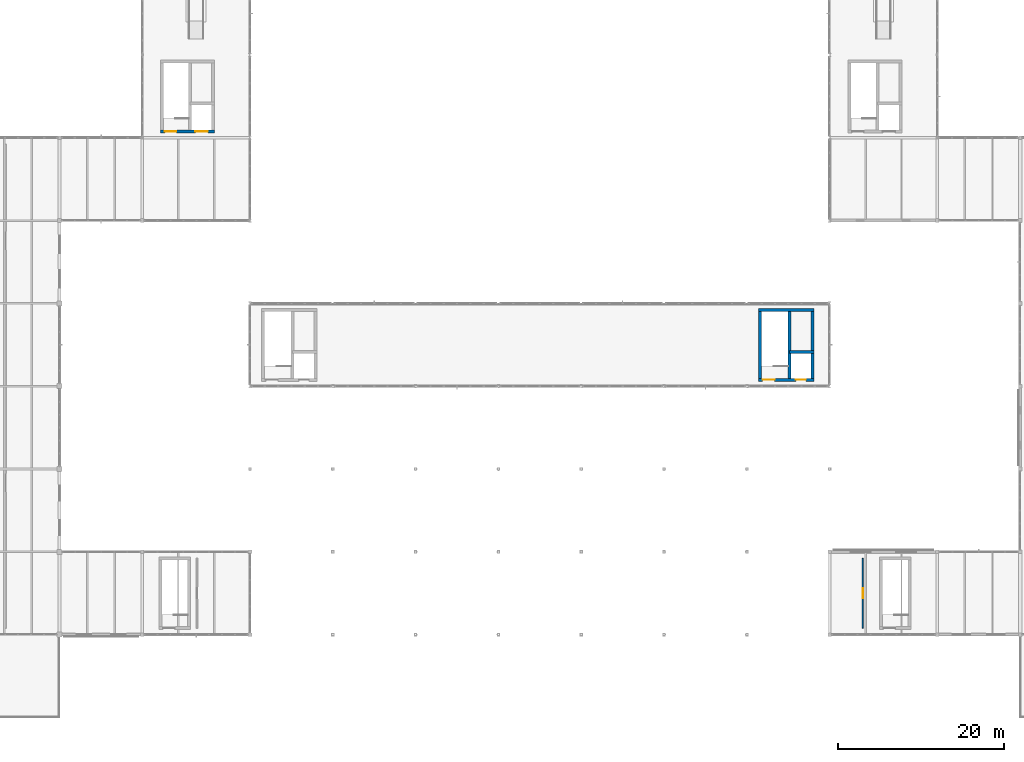
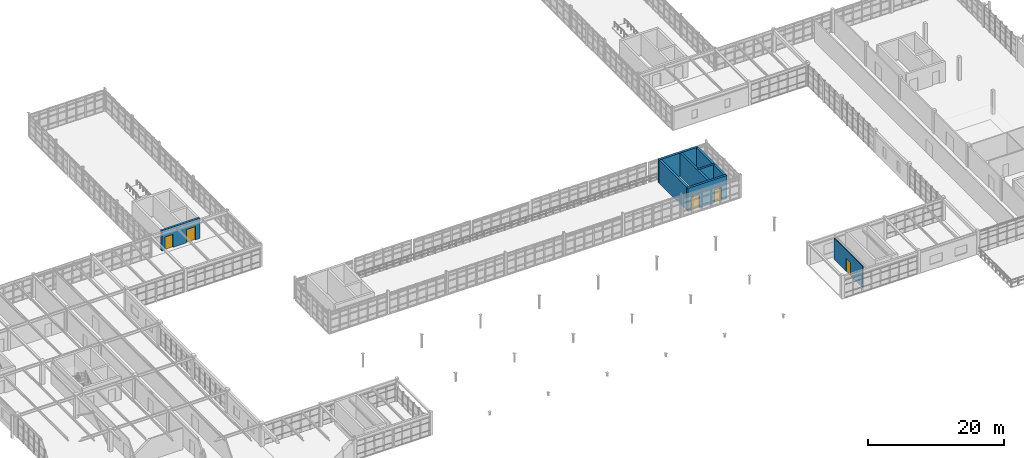
# One storey, part 107 of 122: 8 walls, 5 doors, 5 openings.
"""IFC4 building model written with IfcOpenShell, lengths in metres."""

from ifc_helpers import new_model, si_unit, direction, frame, frame_2d, origin, place, context, subcontext, project, spatial, rectangle, extrude, material, layer, layer_set, type_object, element, fill, save


model = new_model("IFC4")

# Units and contexts
model_context = context("Model", 3, precision=1e-05, world=origin(), true_north=direction((0.0, 1.0)))
body_context = subcontext(model_context, "Body", "Model", "MODEL_VIEW")
ifc_project = project(units=[si_unit("LENGTHUNIT", "METRE"), si_unit("AREAUNIT", "SQUARE_METRE"), si_unit("VOLUMEUNIT", "CUBIC_METRE"), si_unit("PLANEANGLEUNIT", "RADIAN"), si_unit("MASSUNIT", "GRAM", prefix="KILO"), si_unit("THERMODYNAMICTEMPERATUREUNIT", "KELVIN"), si_unit("POWERUNIT", "WATT")], contexts=[model_context])

# Site, building, storey
site_placement = place(None, origin())
site = spatial("IfcSite", under=ifc_project, at=site_placement, CompositionType="ELEMENT")
building_placement = place(site_placement, origin())
building = spatial("IfcBuilding", under=site, at=building_placement, Name="Korenveer Ferry Terminal", CompositionType="ELEMENT")
storey_placement = place(building_placement, frame((0.0, 0.0, 10.199951171875)))
storey = spatial("IfcBuildingStorey", under=building, at=storey_placement, Name="L02", CompositionType="ELEMENT", Elevation=10.199951171875)

# Wall, openings, doors
ifc_material_1 = material(Name="Concrete C45/55", Category="concrete")
ifc_layer_1 = layer(ifc_material_1, 0.360107421875)
ifc_layer_set_1 = layer_set([ifc_layer_1], Name="Concrete C45/55")
wall_type_1 = type_object("IfcWallType", Name="INT-WL-CORE360", PredefinedType="SHEAR", material=ifc_layer_set_1)
wall_1_placement = place(storey_placement, frame((114.39990234375, 50.780029296875, 0.0), z_axis=(0.0, 0.0, 1.0), x_axis=(1.0, 0.0, 0.0)))
wall_1 = element("IfcWall", 1, at=wall_1_placement, inside=storey, type_object=wall_type_1, Name="Departure East Core K6 south shear wall L02", PredefinedType="SHEAR", context=body_context, shape_type="SweptSolid", body=[
    extrude(rectangle(XDim=6.68017578125, YDim=0.360107421875, at=frame_2d((3.340087890625, 0.0))), origin(), (0.0, 0.0, 1.0), 4.199951171875),
])
opening_1_placement = place(wall_1_placement, frame((0.510009765625, 0.0, 0.0)))
opening_1 = element("IfcOpeningElement", 2, at=opening_1_placement, cuts=wall_1, Name="Opening SD-22", PredefinedType="OPENING", context=body_context, shape_type="SweptSolid", body=[
    extrude(rectangle(XDim=1.449951171875, YDim=2.39990234375, at=frame_2d((0.72509765625, 1.199951171875))), frame((0.0, 0.18994140625, 0.0), z_axis=(0.0, -1.0, 0.0), x_axis=(1.0, 0.0, 0.0)), (0.0, 0.0, 1.0), 0.380126953125),
])
opening_2_placement = place(wall_1_placement, frame((4.52001953125, 0.0, 0.0)))
opening_2 = element("IfcOpeningElement", 3, at=opening_2_placement, cuts=wall_1, Name="Opening LD-22", PredefinedType="OPENING", context=body_context, shape_type="SweptSolid", body=[
    extrude(rectangle(XDim=1.199951171875, YDim=2.35009765625, at=frame_2d((0.60009765625, 1.175048828125))), frame((0.0, 0.18994140625, 0.0), z_axis=(0.0, -1.0, 0.0), x_axis=(1.0, 0.0, 0.0)), (0.0, 0.0, 1.0), 0.380126953125),
])
ifc_material_2 = material(Name="Solid hardwood and steel acoustic door", Category="steel")
door_type_1 = type_object("IfcDoorType", Name="INT-DR-LD120", OperationType="SLIDING_TO_LEFT", PredefinedType="DOOR", material=ifc_material_2)
door_1_placement = place(opening_2_placement, origin())
door_1 = element("IfcDoor", 4, at=door_1_placement, inside=storey, type_object=door_type_1, Name="Lift LP4 Sliding Landing Door L02", OperationType="SLIDING_TO_LEFT", OverallHeight=2.35009765625, OverallWidth=1.199951171875, PredefinedType="DOOR", context=body_context, shape_type="SweptSolid", body=[
    extrude(rectangle(XDim=1.199951171875, YDim=2.35009765625, at=frame_2d((0.60009765625, 1.175048828125))), frame((0.0, 0.02490234375, 0.0), z_axis=(0.0, -1.0, 0.0), x_axis=(1.0, 0.0, 0.0)), (0.0, 0.0, 1.0), 0.050048828125),
])
fill(opening_2, door_1)
door_type_2 = type_object("IfcDoorType", Name="INT-DR-ST145", OperationType="NOTDEFINED", PredefinedType="DOOR", material=ifc_material_2)
door_2_placement = place(opening_1_placement, origin())
door_2 = element("IfcDoor", 5, at=door_2_placement, inside=storey, type_object=door_type_2, Name="ST06 Stair Door L02", OperationType="SINGLE_SWING_RIGHT", OverallHeight=2.39990234375, OverallWidth=1.449951171875, PredefinedType="DOOR", context=body_context, shape_type="SweptSolid", body=[
    extrude(rectangle(XDim=1.449951171875, YDim=2.39990234375, at=frame_2d((0.72509765625, 1.199951171875))), frame((0.0, 0.02490234375, 0.0), z_axis=(0.0, -1.0, 0.0), x_axis=(1.0, 0.0, 0.0)), (0.0, 0.0, 1.0), 0.050048828125),
])
fill(opening_1, door_2)

# Walls
wall_2_placement = place(storey_placement, frame((114.39990234375, 59.219970703125, 0.0), z_axis=(0.0, 0.0, 1.0), x_axis=(1.0, 0.0, 0.0)))
element("IfcWall", 6, at=wall_2_placement, inside=storey, type_object=wall_type_1, Name="Departure East Core K6 north shear wall L02", PredefinedType="SHEAR", context=body_context, shape_type="SweptSolid", body=[
    extrude(rectangle(XDim=6.68017578125, YDim=0.360107421875, at=frame_2d((3.340087890625, 0.0))), origin(), (0.0, 0.0, 1.0), 4.199951171875),
])
for number, where, z_axis, x_axis, name in (
    (7, (114.580078125, 50.60009765625, 0.0), (0.0, 0.0, 1.0), (0.0, 1.0, 0.0), "Departure East Core K6 west shear wall L02"),
    (8, (120.89990234375, 50.60009765625, 0.0), (0.0, 0.0, 1.0), (0.0, 1.0, 0.0), "Departure East Core K6 east shear wall L02"),
    (9, (118.139892578125, 50.60009765625, 0.0), (0.0, 0.0, 1.0), (0.0, 1.0, 0.0), "Departure East Core K6 shaft divider wall L02"),
):
    element("IfcWall", number, at=place(storey_placement, frame(where, z_axis=z_axis, x_axis=x_axis)), inside=storey, type_object=wall_type_1, Name=name, PredefinedType="SHEAR", context=body_context, shape_type="SweptSolid", body=[
        extrude(rectangle(XDim=8.7998046875, YDim=0.360107421875, at=frame_2d((4.39990234375, 0.0))), origin(), (0.0, 0.0, 1.0), 4.199951171875),
    ])
wall_3_placement = place(storey_placement, frame((118.139892578125, 54.139892578125, 0.0), z_axis=(0.0, 0.0, 1.0), x_axis=(1.0, 0.0, 0.0)))
element("IfcWall", 10, at=wall_3_placement, inside=storey, type_object=wall_type_1, Name="Departure East Core K6 lift shaft wall L02", PredefinedType="SHEAR", context=body_context, shape_type="SweptSolid", body=[
    extrude(rectangle(XDim=2.940185546875, YDim=0.360107421875, at=frame_2d((1.47021484375, 0.0))), origin(), (0.0, 0.0, 1.0), 4.199951171875),
])

# Wall, openings, doors
wall_4_placement = place(storey_placement, frame((42.199951171875, 80.780029296875, 0.0), z_axis=(0.0, 0.0, 1.0), x_axis=(1.0, 0.0, 0.0)))
wall_4 = element("IfcWall", 11, at=wall_4_placement, inside=storey, type_object=wall_type_1, Name="West Berth Pier Core K7 south shear wall L02", PredefinedType="SHEAR", context=body_context, shape_type="SweptSolid", body=[
    extrude(rectangle(XDim=6.52001953125, YDim=0.360107421875, at=frame_2d((3.260009765625, 0.0))), origin(), (0.0, 0.0, 1.0), 3.650146484375),
])
opening_3_placement = place(wall_4_placement, frame((0.510009765625, 0.0, 0.0)))
opening_3 = element("IfcOpeningElement", 12, at=opening_3_placement, cuts=wall_4, Name="Opening SD-25", PredefinedType="OPENING", context=body_context, shape_type="SweptSolid", body=[
    extrude(rectangle(XDim=1.39990234375, YDim=2.35009765625, at=frame_2d((0.699951171875, 1.175048828125))), frame((0.0, 0.18994140625, 0.0), z_axis=(0.0, -1.0, 0.0), x_axis=(1.0, 0.0, 0.0)), (0.0, 0.0, 1.0), 0.380126953125),
])
opening_4_placement = place(wall_4_placement, frame((4.2099609375, 0.0, 0.0)))
opening_4 = element("IfcOpeningElement", 13, at=opening_4_placement, cuts=wall_4, Name="Opening LD-25", PredefinedType="OPENING", context=body_context, shape_type="SweptSolid", body=[
    extrude(rectangle(XDim=1.5, YDim=2.39990234375, at=frame_2d((0.75, 1.199951171875))), frame((0.0, 0.18994140625, 0.0), z_axis=(0.0, -1.0, 0.0), x_axis=(1.0, 0.0, 0.0)), (0.0, 0.0, 1.0), 0.380126953125),
])
door_type_3 = type_object("IfcDoorType", Name="INT-DR-LD150", OperationType="SLIDING_TO_LEFT", PredefinedType="DOOR", material=ifc_material_2)
door_3_placement = place(opening_4_placement, origin())
door_3 = element("IfcDoor", 14, at=door_3_placement, inside=storey, type_object=door_type_3, Name="Lift LG1 Sliding Landing Door L02", OperationType="SLIDING_TO_LEFT", OverallHeight=2.39990234375, OverallWidth=1.5, PredefinedType="DOOR", context=body_context, shape_type="SweptSolid", body=[
    extrude(rectangle(XDim=1.5, YDim=2.39990234375, at=frame_2d((0.75, 1.199951171875))), frame((0.0, 0.02490234375, 0.0), z_axis=(0.0, -1.0, 0.0), x_axis=(1.0, 0.0, 0.0)), (0.0, 0.0, 1.0), 0.050048828125),
])
fill(opening_4, door_3)
door_type_4 = type_object("IfcDoorType", Name="INT-DR-ST140", OperationType="NOTDEFINED", PredefinedType="DOOR", material=ifc_material_2)
door_4_placement = place(opening_3_placement, origin())
door_4 = element("IfcDoor", 15, at=door_4_placement, inside=storey, type_object=door_type_4, Name="ST07 Stair Door L02", OperationType="SINGLE_SWING_LEFT", OverallHeight=2.35009765625, OverallWidth=1.39990234375, PredefinedType="DOOR", context=body_context, shape_type="SweptSolid", body=[
    extrude(rectangle(XDim=1.39990234375, YDim=2.35009765625, at=frame_2d((0.699951171875, 1.175048828125))), frame((0.0, 0.02490234375, 0.0), z_axis=(0.0, -1.0, 0.0), x_axis=(1.0, 0.0, 0.0)), (0.0, 0.0, 1.0), 0.050048828125),
])
fill(opening_3, door_4)

# Wall, opening, door
ifc_material_3 = material(Name="Acoustic gypsum board stud partition", Category="other")
ifc_layer_2 = layer(ifc_material_3, 0.14990234375)
ifc_layer_set_2 = layer_set([ifc_layer_2], Name="Acoustic gypsum board stud partition")
wall_type_2 = type_object("IfcWallType", Name="INT-WL-PART150", PredefinedType="PARTITIONING", material=ifc_layer_set_2)
wall_5_placement = place(storey_placement, frame((127.0, 20.800048828125, 0.0), z_axis=(0.0, 0.0, 1.0), x_axis=(0.0, 1.0, 0.0)))
wall_5 = element("IfcWall", 16, at=wall_5_placement, inside=storey, type_object=wall_type_2, Name="Interior partition PWL-L02-042", PredefinedType="PARTITIONING", context=body_context, shape_type="SweptSolid", body=[
    extrude(rectangle(XDim=8.39990234375, YDim=0.14990234375, at=frame_2d((4.199951171875, 0.0))), origin(), (0.0, 0.0, 1.0), 3.860107421875),
])
opening_5_placement = place(wall_5_placement, frame((3.574951171875, 0.0, 0.0)))
opening_5 = element("IfcOpeningElement", 17, at=opening_5_placement, cuts=wall_5, Name="Opening ID-053", PredefinedType="OPENING", context=body_context, shape_type="SweptSolid", body=[
    extrude(rectangle(XDim=1.25, YDim=2.39990234375, at=frame_2d((0.625, 1.199951171875))), frame((0.0, 0.0849609375, 0.0), z_axis=(0.0, -1.0, 0.0), x_axis=(1.0, 0.0, 0.0)), (0.0, 0.0, 1.0), 0.169921875),
])
door_type_5 = type_object("IfcDoorType", Name="INT-DR-RM125AU", OperationType="NOTDEFINED", PredefinedType="DOOR", material=ifc_material_2)
door_5_placement = place(opening_5_placement, origin())
door_5 = element("IfcDoor", 18, at=door_5_placement, inside=storey, type_object=door_type_5, Name="Terminal Provisioning Store Door", OperationType="SINGLE_SWING_RIGHT", OverallHeight=2.39990234375, OverallWidth=1.25, PredefinedType="DOOR", context=body_context, shape_type="SweptSolid", body=[
    extrude(rectangle(XDim=1.25, YDim=2.39990234375, at=frame_2d((0.625, 1.199951171875))), frame((0.0, 0.02490234375, 0.0), z_axis=(0.0, -1.0, 0.0), x_axis=(1.0, 0.0, 0.0)), (0.0, 0.0, 1.0), 0.050048828125),
])
fill(opening_5, door_5)

save(model, "model.ifc")
